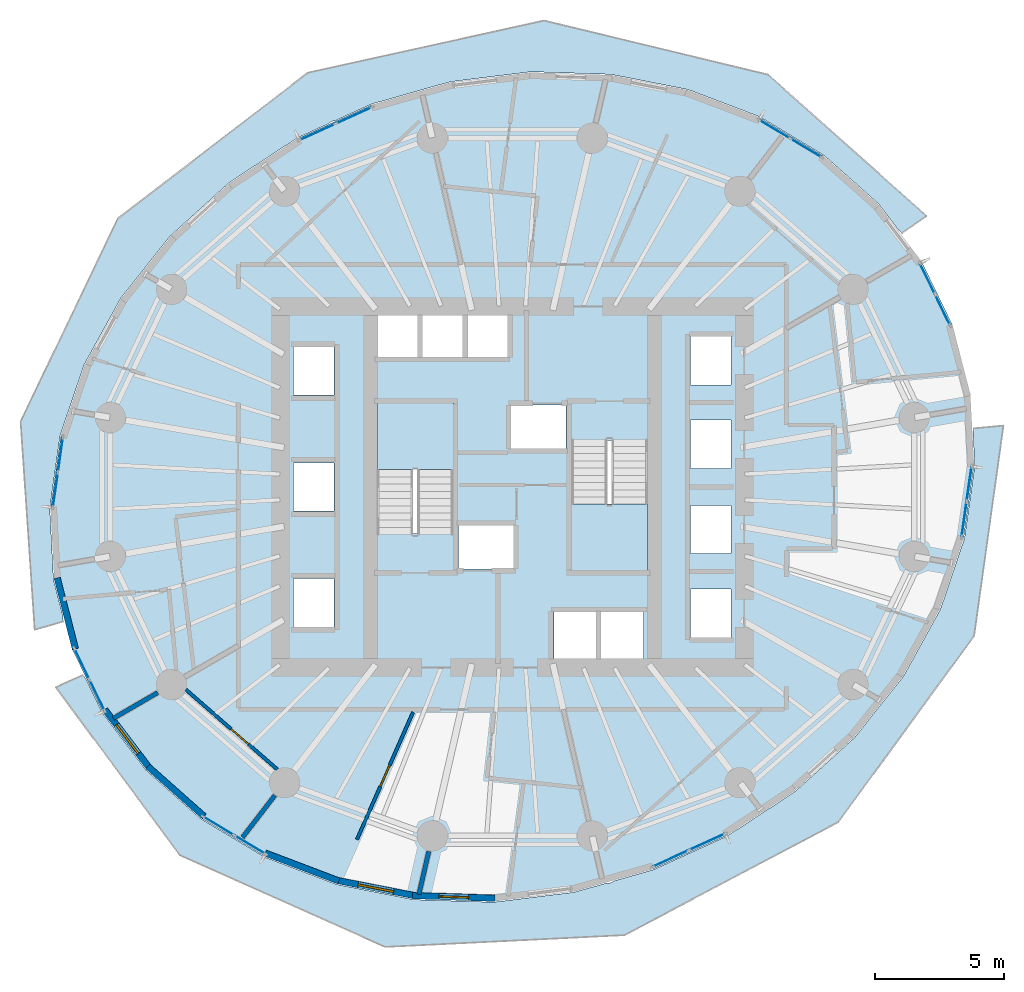
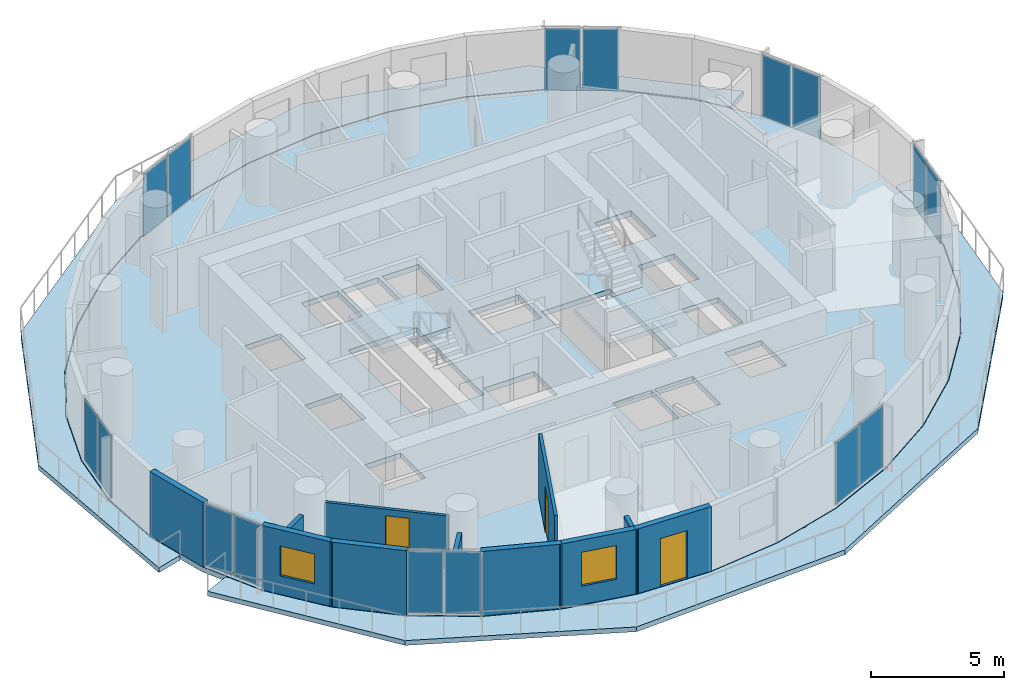
# One storey, part 6 of 14: 16 plates, 11 walls, 5 slabs, 3 doors, 2 windows, 5 openings, 10 elements without a shape of their own.
"""IFC4 building model written with IfcOpenShell, lengths in metres."""

from ifc_helpers import new_model, si_unit, direction, frame, frame_2d, origin, origin_2d, place, context, subcontext, project, spatial, polyline, rectangle, outline, extrude, material, layer, layer_set, type_object, element, fill, aggregate, save


model = new_model("IFC4")

# Units and contexts
model_context = context("Model", 3, precision=1e-05, world=origin(), true_north=direction((0.0, 1.0)))
body_context = subcontext(model_context, "Body", "Model", "MODEL_VIEW")
ifc_project = project(units=[si_unit("LENGTHUNIT", "METRE"), si_unit("AREAUNIT", "SQUARE_METRE"), si_unit("VOLUMEUNIT", "CUBIC_METRE"), si_unit("PLANEANGLEUNIT", "RADIAN"), si_unit("MASSUNIT", "GRAM", prefix="KILO")], contexts=[model_context])

# Site, building, storey
site_placement = place(None, origin())
site = spatial("IfcSite", under=ifc_project, at=site_placement, CompositionType="ELEMENT")
building_placement = place(site_placement, origin())
building = spatial("IfcBuilding", under=site, at=building_placement, Name="Veldorim Arch Residences", CompositionType="ELEMENT")
storey_placement = place(building_placement, frame((0.0, 0.0, 83.679931640625)))
storey = spatial("IfcBuildingStorey", under=building, at=storey_placement, Name="L24", CompositionType="ELEMENT", Elevation=83.679931640625)

# Slabs
ifc_material_1 = material(Name="Concrete C40/50", Category="concrete")
ifc_layer_1 = layer(ifc_material_1, 0.219970703125, Name="Planted Crescent Cantilever Balcony Slab 220")
ifc_layer_set_1 = layer_set([ifc_layer_1], Name="Concrete C40/50")
slab_type_1 = type_object("IfcSlabType", Name="Planted Crescent Cantilever Balcony Slab 220", PredefinedType="FLOOR", material=ifc_layer_set_1)
slab_1_placement = place(storey_placement, frame((0.0, 0.0, -0.219970703125)))
element("IfcSlab", 1, at=slab_1_placement, inside=storey, type_object=slab_type_1, Name="L24 planted crescent balcony slab A", PredefinedType="FLOOR", context=body_context, shape_type="SweptSolid", body=[
    extrude(outline(polyline([(46.990478515625, 33.961181640625), (46.210693359375, 34.984130859375), (44.088134765625, 36.868408203125), (41.5986328125, 38.361328125), (38.8173828125, 39.41796875), (35.82958984375, 40.006103515625), (32.725341796875, 40.10791015625), (29.59912109375, 39.720458984375), (26.5458984375, 38.85546875), (25.1455078125, 38.21728515625), (24.97314453125, 38.177001953125), (24.84033203125, 38.078125), (23.658447265625, 37.53955078125), (21.0244140625, 35.81201171875), (18.723388671875, 33.725830078125), (16.82568359375, 31.343994140625), (15.388916015625, 28.739013671875), (14.456787109375, 25.98974609375), (14.057861328125, 23.1796875), (14.2041015625, 20.39453125), (14.574462890625, 18.952880859375), (14.5751953125, 18.783203125), (13.470458984375, 18.463623046875), (12.923583984375, 26.53662109375), (16.694580078125, 34.413818359375), (24.0673828125, 40.071533203125), (33.231201171875, 42.094970703125), (41.920166015625, 39.998779296875), (48.068359375, 34.513916015625), (47.1259765625, 33.854736328125), (46.990478515625, 33.961181640625)])), origin(), (0.0, 0.0, 1.0), 0.219970703125),
])
slab_2_placement = place(storey_placement, frame((0.0, 0.0, -0.219970703125)))
element("IfcSlab", 2, at=slab_2_placement, inside=storey, type_object=slab_type_1, Name="L24 planted crescent balcony slab B", PredefinedType="FLOOR", context=body_context, shape_type="SweptSolid", body=[
    extrude(outline(polyline([(15.4482421875, 16.57275390625), (16.098876953125, 15.23388671875), (17.789306640625, 13.015869140625), (19.911865234375, 11.131591796875), (22.4013671875, 9.638671875), (25.1826171875, 8.58203125), (28.17041015625, 7.993896484375), (31.274658203125, 7.89208984375), (34.40087890625, 8.279541015625), (35.65087890625, 8.633544921875), (35.815673828125, 8.644287109375), (35.972900390625, 8.724853515625), (37.4541015625, 9.14453125), (40.341552734375, 10.46044921875), (42.9755859375, 12.18798828125), (45.276611328125, 14.274169921875), (47.17431640625, 16.656005859375), (48.611083984375, 19.260986328125), (49.543212890625, 22.01025390625), (49.942138671875, 24.8203125), (49.87451171875, 26.10498046875), (49.9091796875, 26.273681640625), (51.05419921875, 26.380859375), (49.91552734375, 18.220703125), (44.647216796875, 11.000244140625), (36.350830078125, 6.613525390625), (27.06884765625, 6.15673828125), (19.0966796875, 9.722412109375), (14.2900390625, 16.2314453125), (15.339111328125, 16.70263671875), (15.4482421875, 16.57275390625)])), origin(), (0.0, 0.0, 1.0), 0.219970703125),
])

# Stair, slab
ifc_material_2 = material(Name="Concrete C40/50", Category="concrete")
stair_type = type_object("IfcStairType", Name="Reinforced Concrete Dogleg Exit Staircase", PredefinedType="HALF_TURN_STAIR", material=ifc_material_2)
stair_1_placement = place(storey_placement, origin())
stair_1 = element("IfcStair", 3, at=stair_1_placement, inside=storey, type_object=stair_type, Name="L24 Exit Staircase ST-1", PredefinedType="HALF_TURN_STAIR")
ifc_material_3 = material(Name="Concrete C40/50", Category="concrete")
ifc_layer_2 = layer(ifc_material_3, 0.199951171875, Name="Reinforced Concrete Stair Landing 200")
ifc_layer_set_2 = layer_set([ifc_layer_2], Name="Concrete C40/50")
slab_type_2 = type_object("IfcSlabType", Name="Reinforced Concrete Stair Landing 200", PredefinedType="LANDING", material=ifc_layer_set_2)
slab_3_placement = place(storey_placement, frame((0.0, 0.0, 1.400146484375)))
slab_3 = element("IfcSlab", 4, at=slab_3_placement, type_object=slab_type_2, Name="ST-1 landing 1", PredefinedType="LANDING", context=body_context, shape_type="SweptSolid", body=[
    extrude(outline(polyline([(29.7099609375, 24.669921875), (29.7099609375, 27.25), (26.75, 27.25), (26.75, 24.669921875), (29.7099609375, 24.669921875)])), origin(), (0.0, 0.0, 1.0), 0.199951171875),
])
aggregate(stair_1, [slab_3])

stair_2_placement = place(storey_placement, origin())
stair_2 = element("IfcStair", 5, at=stair_2_placement, inside=storey, type_object=stair_type, Name="L24 Exit Staircase ST-2", PredefinedType="HALF_TURN_STAIR")
slab_4_placement = place(storey_placement, frame((0.0, 0.0, 1.400146484375)))
slab_4 = element("IfcSlab", 6, at=slab_4_placement, type_object=slab_type_2, Name="ST-2 landing 1", PredefinedType="LANDING", context=body_context, shape_type="SweptSolid", body=[
    extrude(outline(polyline([(34.2900390625, 23.330078125), (34.2900390625, 20.75), (37.25, 20.75), (37.25, 23.330078125), (34.2900390625, 23.330078125)])), origin(), (0.0, 0.0, 1.0), 0.199951171875),
])
aggregate(stair_2, [slab_4])

# Slab
ifc_material_4 = material(Name="Concrete C40/50", Category="concrete")
ifc_layer_3 = layer(ifc_material_4, 0.239990234375, Name="Typical Residential Floor Slab 240")
ifc_layer_set_3 = layer_set([ifc_layer_3], Name="Concrete C40/50")
slab_type_3 = type_object("IfcSlabType", Name="Typical Residential Floor Slab 240", PredefinedType="FLOOR", material=ifc_layer_set_3)
slab_5_placement = place(storey_placement, frame((0.0, 0.0, -0.239990234375)))
element("IfcSlab", 7, at=slab_5_placement, inside=storey, type_object=slab_type_3, Name="L24 tower structural floor slab", PredefinedType="FLOOR", context=body_context, shape_type="SweptSolid", body=[
    extrude(outline(polyline([(49.0849609375, 30.2724609375), (47.8798828125, 32.752685546875), (46.192138671875, 34.967041015625), (44.0732421875, 36.84814453125), (41.587646484375, 38.3388671875), (38.810546875, 39.393798828125), (35.82666015625, 39.981201171875), (32.726318359375, 40.082763671875), (29.60400390625, 39.69580078125), (26.5546875, 38.83203125), (23.670654296875, 37.517578125), (21.03955078125, 35.792236328125), (18.74169921875, 33.70849609375), (16.8466796875, 31.330078125), (15.412109375, 28.728759765625), (14.481201171875, 25.98388671875), (14.0830078125, 23.1787109375), (14.22900390625, 20.398193359375), (14.9150390625, 17.7275390625), (16.1201171875, 15.247314453125), (17.807861328125, 13.032958984375), (19.9267578125, 11.15185546875), (22.412353515625, 9.6611328125), (25.189453125, 8.606201171875), (28.17333984375, 8.018798828125), (31.273681640625, 7.917236328125), (34.39599609375, 8.30419921875), (37.4453125, 9.16796875), (40.329345703125, 10.482421875), (42.96044921875, 12.207763671875), (45.25830078125, 14.29150390625), (47.1533203125, 16.669921875), (48.587890625, 19.271240234375), (49.518798828125, 22.01611328125), (49.9169921875, 24.8212890625), (49.77099609375, 27.601806640625), (49.0849609375, 30.2724609375)]), holes=[polyline([(23.510009765625, 20.43994140625), (25.090087890625, 20.43994140625), (25.090087890625, 18.56005859375), (23.510009765625, 18.56005859375), (23.510009765625, 20.43994140625)]), polyline([(29.909912109375, 22.544921875), (32.090087890625, 22.544921875), (32.090087890625, 20.81494140625), (29.909912109375, 20.81494140625), (29.909912109375, 22.544921875)]), polyline([(23.510009765625, 24.93994140625), (25.090087890625, 24.93994140625), (25.090087890625, 23.06005859375), (23.510009765625, 23.06005859375), (23.510009765625, 24.93994140625)]), polyline([(26.75, 27.25), (29.7099609375, 27.25), (29.7099609375, 22.195068359375), (26.75, 22.195068359375), (26.75, 27.25)]), polyline([(23.510009765625, 29.43994140625), (25.090087890625, 29.43994140625), (25.090087890625, 27.56005859375), (23.510009765625, 27.56005859375), (23.510009765625, 29.43994140625)]), polyline([(26.760009765625, 30.7900390625), (28.340087890625, 30.7900390625), (28.340087890625, 28.909912109375), (26.760009765625, 28.909912109375), (26.760009765625, 30.7900390625)]), polyline([(28.510009765625, 30.7900390625), (30.090087890625, 30.7900390625), (30.090087890625, 28.909912109375), (28.510009765625, 28.909912109375), (28.510009765625, 30.7900390625)]), polyline([(30.260009765625, 30.7900390625), (31.840087890625, 30.7900390625), (31.840087890625, 28.909912109375), (30.260009765625, 28.909912109375), (30.260009765625, 30.7900390625)]), polyline([(33.610107421875, 19.2900390625), (35.2900390625, 19.2900390625), (35.2900390625, 17.2099609375), (33.610107421875, 17.2099609375), (33.610107421875, 19.2900390625)]), polyline([(35.409912109375, 19.2900390625), (37.090087890625, 19.2900390625), (37.090087890625, 17.2099609375), (35.409912109375, 17.2099609375), (35.409912109375, 19.2900390625)]), polyline([(38.909912109375, 20.0400390625), (40.489990234375, 20.0400390625), (40.489990234375, 18.159912109375), (38.909912109375, 18.159912109375), (38.909912109375, 20.0400390625)]), polyline([(38.909912109375, 23.2900390625), (40.489990234375, 23.2900390625), (40.489990234375, 21.409912109375), (38.909912109375, 21.409912109375), (38.909912109375, 23.2900390625)]), polyline([(34.2900390625, 25.804931640625), (37.25, 25.804931640625), (37.25, 20.75), (34.2900390625, 20.75), (34.2900390625, 25.804931640625)]), polyline([(38.909912109375, 26.590087890625), (40.489990234375, 26.590087890625), (40.489990234375, 24.7099609375), (38.909912109375, 24.7099609375), (38.909912109375, 26.590087890625)]), polyline([(31.909912109375, 27.18505859375), (34.090087890625, 27.18505859375), (34.090087890625, 25.455078125), (31.909912109375, 25.455078125), (31.909912109375, 27.18505859375)]), polyline([(38.909912109375, 29.840087890625), (40.489990234375, 29.840087890625), (40.489990234375, 27.9599609375), (38.909912109375, 27.9599609375), (38.909912109375, 29.840087890625)])]), origin(), (0.0, 0.0, 1.0), 0.239990234375),
])

# Curtain wall, plates
ifc_material_5 = material(Name="Aluminium", Category="aluminium")
curtain_wall_type = type_object("IfcCurtainWallType", Name="Zone 2 Solar-Control Unitised Curtain Wall", PredefinedType="NOTDEFINED", material=ifc_material_5)
curtain_wall_1_placement = place(storey_placement, origin())
curtain_wall_1 = element("IfcCurtainWall", 8, at=curtain_wall_1_placement, inside=storey, type_object=curtain_wall_type, Name="L24 unitised curtain wall bay 01", PredefinedType="NOTDEFINED")
ifc_material_6 = material(Name="Laminated Low-E Glass", Category="glass")
ifc_layer_4 = layer(ifc_material_6, 0.02587890625, Name="Zone 2 Solar-Control Unitised Curtain Wall Glazing Panel 26")
ifc_layer_set_4 = layer_set([ifc_layer_4], Name="Laminated Low-E Glass")
plate_type = type_object("IfcPlateType", Name="Zone 2 Solar-Control Unitised Curtain Wall Glazing Panel 26", PredefinedType="CURTAIN_PANEL", material=ifc_layer_set_4)
plate_1_placement = place(storey_placement, frame((48.107421875, 32.078857421875, 0.06494140625), z_axis=(0.0, 0.0, 1.0), x_axis=(0.437045633403, -0.89943933332, 0.0)))
plate_1 = element("IfcPlate", 9, at=plate_1_placement, type_object=plate_type, Name="CW-Z2 panel 1.1", PredefinedType="CURTAIN_PANEL", context=body_context, shape_type="SweptSolid", body=[
    extrude(rectangle(XDim=1.28125, YDim=0.02587890625, at=origin_2d()), origin(), (0.0, 0.0, 1.0), 2.830078125),
])
plate_2_placement = place(storey_placement, frame((48.69580078125, 30.867919921875, 0.06494140625), z_axis=(0.0, 0.0, 1.0), x_axis=(0.437045633403, -0.89943933332, 0.0)))
plate_2 = element("IfcPlate", 10, at=plate_2_placement, type_object=plate_type, Name="CW-Z2 panel 2.1", PredefinedType="CURTAIN_PANEL", context=body_context, shape_type="SweptSolid", body=[
    extrude(rectangle(XDim=1.28125, YDim=0.02587890625, at=origin_2d()), origin(), (0.0, 0.0, 1.0), 2.830078125),
])
aggregate(curtain_wall_1, [plate_1, plate_2])

curtain_wall_2_placement = place(storey_placement, origin())
curtain_wall_2 = element("IfcCurtainWall", 11, at=curtain_wall_2_placement, inside=storey, type_object=curtain_wall_type, Name="L24 unitised curtain wall bay 04", PredefinedType="NOTDEFINED")
plate_3_placement = place(storey_placement, frame((42.1767578125, 37.880615234375, 0.06494140625), z_axis=(0.0, 0.0, 1.0), x_axis=(0.857602499098, -0.514313089023, 0.0)))
plate_3 = element("IfcPlate", 12, at=plate_3_placement, type_object=plate_type, Name="CW-Z2 panel 1.1", PredefinedType="CURTAIN_PANEL", context=body_context, shape_type="SweptSolid", body=[
    extrude(rectangle(XDim=1.351806640625, YDim=0.02587890625, at=origin_2d()), origin(), (0.0, 0.0, 1.0), 2.830078125),
])
plate_4_placement = place(storey_placement, frame((43.3916015625, 37.15185546875, 0.06494140625), z_axis=(0.0, 0.0, 1.0), x_axis=(0.857602499098, -0.514313089023, 0.0)))
plate_4 = element("IfcPlate", 13, at=plate_4_placement, type_object=plate_type, Name="CW-Z2 panel 2.1", PredefinedType="CURTAIN_PANEL", context=body_context, shape_type="SweptSolid", body=[
    extrude(rectangle(XDim=1.351806640625, YDim=0.02587890625, at=origin_2d()), origin(), (0.0, 0.0, 1.0), 2.830078125),
])
aggregate(curtain_wall_2, [plate_3, plate_4])

curtain_wall_3_placement = place(storey_placement, origin())
curtain_wall_3 = element("IfcCurtainWall", 14, at=curtain_wall_3_placement, inside=storey, type_object=curtain_wall_type, Name="L24 unitised curtain wall bay 10", PredefinedType="NOTDEFINED")
plate_5_placement = place(storey_placement, frame((24.443603515625, 37.77099609375, 0.06494140625), z_axis=(0.0, 0.0, 1.0), x_axis=(0.909939186399, 0.414741699201, 0.0)))
plate_5 = element("IfcPlate", 15, at=plate_5_placement, type_object=plate_type, Name="CW-Z2 panel 1.1", PredefinedType="CURTAIN_PANEL", context=body_context, shape_type="SweptSolid", body=[
    extrude(rectangle(XDim=1.4873046875, YDim=0.02587890625, at=origin_2d()), origin(), (0.0, 0.0, 1.0), 2.830078125),
])
plate_6_placement = place(storey_placement, frame((25.856201171875, 38.414794921875, 0.06494140625), z_axis=(0.0, 0.0, 1.0), x_axis=(0.909939186399, 0.414741699201, 0.0)))
plate_6 = element("IfcPlate", 16, at=plate_6_placement, type_object=plate_type, Name="CW-Z2 panel 2.1", PredefinedType="CURTAIN_PANEL", context=body_context, shape_type="SweptSolid", body=[
    extrude(rectangle(XDim=1.4873046875, YDim=0.02587890625, at=origin_2d()), origin(), (0.0, 0.0, 1.0), 2.830078125),
])
aggregate(curtain_wall_3, [plate_5, plate_6])

curtain_wall_4_placement = place(storey_placement, origin())
curtain_wall_4 = element("IfcCurtainWall", 17, at=curtain_wall_4_placement, inside=storey, type_object=curtain_wall_type, Name="L24 unitised curtain wall bay 16", PredefinedType="NOTDEFINED")
plate_7_placement = place(storey_placement, frame((14.27392578125, 23.88330078125, 0.06494140625), z_axis=(0.0, 0.0, 1.0), x_axis=(0.140571452105, 0.990070536302, 0.0)))
plate_7 = element("IfcPlate", 18, at=plate_7_placement, type_object=plate_type, Name="CW-Z2 panel 1.1", PredefinedType="CURTAIN_PANEL", context=body_context, shape_type="SweptSolid", body=[
    extrude(rectangle(XDim=1.3193359375, YDim=0.02587890625, at=origin_2d()), origin(), (0.0, 0.0, 1.0), 2.830078125),
])
plate_8_placement = place(storey_placement, frame((14.468505859375, 25.25390625, 0.06494140625), z_axis=(0.0, 0.0, 1.0), x_axis=(0.140571452105, 0.990070536302, 0.0)))
plate_8 = element("IfcPlate", 19, at=plate_8_placement, type_object=plate_type, Name="CW-Z2 panel 2.1", PredefinedType="CURTAIN_PANEL", context=body_context, shape_type="SweptSolid", body=[
    extrude(rectangle(XDim=1.3193359375, YDim=0.02587890625, at=origin_2d()), origin(), (0.0, 0.0, 1.0), 2.830078125),
])
aggregate(curtain_wall_4, [plate_7, plate_8])

curtain_wall_5_placement = place(storey_placement, origin())
curtain_wall_5 = element("IfcCurtainWall", 20, at=curtain_wall_5_placement, inside=storey, type_object=curtain_wall_type, Name="L24 unitised curtain wall bay 19", PredefinedType="NOTDEFINED")
plate_9_placement = place(storey_placement, frame((15.892578125, 15.921142578125, 0.06494140625), z_axis=(0.0, 0.0, 1.0), x_axis=(-0.437045633403, 0.89943933332, 0.0)))
plate_9 = element("IfcPlate", 21, at=plate_9_placement, type_object=plate_type, Name="CW-Z2 panel 1.1", PredefinedType="CURTAIN_PANEL", context=body_context, shape_type="SweptSolid", body=[
    extrude(rectangle(XDim=1.28125, YDim=0.02587890625, at=origin_2d()), origin(), (0.0, 0.0, 1.0), 2.830078125),
])
plate_10_placement = place(storey_placement, frame((15.30419921875, 17.132080078125, 0.06494140625), z_axis=(0.0, 0.0, 1.0), x_axis=(-0.437045633403, 0.89943933332, 0.0)))
plate_10 = element("IfcPlate", 22, at=plate_10_placement, type_object=plate_type, Name="CW-Z2 panel 2.1", PredefinedType="CURTAIN_PANEL", context=body_context, shape_type="SweptSolid", body=[
    extrude(rectangle(XDim=1.28125, YDim=0.02587890625, at=origin_2d()), origin(), (0.0, 0.0, 1.0), 2.830078125),
])
aggregate(curtain_wall_5, [plate_9, plate_10])

curtain_wall_6_placement = place(storey_placement, origin())
curtain_wall_6 = element("IfcCurtainWall", 23, at=curtain_wall_6_placement, inside=storey, type_object=curtain_wall_type, Name="L24 unitised curtain wall bay 22", PredefinedType="NOTDEFINED")
plate_11_placement = place(storey_placement, frame((21.8232421875, 10.119384765625, 0.06494140625), z_axis=(0.0, 0.0, 1.0), x_axis=(-0.857602499098, 0.514313089023, 0.0)))
plate_11 = element("IfcPlate", 24, at=plate_11_placement, type_object=plate_type, Name="CW-Z2 panel 1.1", PredefinedType="CURTAIN_PANEL", context=body_context, shape_type="SweptSolid", body=[
    extrude(rectangle(XDim=1.351806640625, YDim=0.02587890625, at=origin_2d()), origin(), (0.0, 0.0, 1.0), 2.830078125),
])
plate_12_placement = place(storey_placement, frame((20.6083984375, 10.84814453125, 0.06494140625), z_axis=(0.0, 0.0, 1.0), x_axis=(-0.857602499098, 0.514313089023, 0.0)))
plate_12 = element("IfcPlate", 25, at=plate_12_placement, type_object=plate_type, Name="CW-Z2 panel 2.1", PredefinedType="CURTAIN_PANEL", context=body_context, shape_type="SweptSolid", body=[
    extrude(rectangle(XDim=1.351806640625, YDim=0.02587890625, at=origin_2d()), origin(), (0.0, 0.0, 1.0), 2.830078125),
])
aggregate(curtain_wall_6, [plate_11, plate_12])

curtain_wall_7_placement = place(storey_placement, origin())
curtain_wall_7 = element("IfcCurtainWall", 26, at=curtain_wall_7_placement, inside=storey, type_object=curtain_wall_type, Name="L24 unitised curtain wall bay 28", PredefinedType="NOTDEFINED")
plate_13_placement = place(storey_placement, frame((39.556396484375, 10.22900390625, 0.06494140625), z_axis=(0.0, 0.0, 1.0), x_axis=(-0.909939186399, -0.414741699201, 0.0)))
plate_13 = element("IfcPlate", 27, at=plate_13_placement, type_object=plate_type, Name="CW-Z2 panel 1.1", PredefinedType="CURTAIN_PANEL", context=body_context, shape_type="SweptSolid", body=[
    extrude(rectangle(XDim=1.4873046875, YDim=0.02587890625, at=origin_2d()), origin(), (0.0, 0.0, 1.0), 2.830078125),
])
plate_14_placement = place(storey_placement, frame((38.143798828125, 9.585205078125, 0.06494140625), z_axis=(0.0, 0.0, 1.0), x_axis=(-0.909939186399, -0.414741699201, 0.0)))
plate_14 = element("IfcPlate", 28, at=plate_14_placement, type_object=plate_type, Name="CW-Z2 panel 2.1", PredefinedType="CURTAIN_PANEL", context=body_context, shape_type="SweptSolid", body=[
    extrude(rectangle(XDim=1.4873046875, YDim=0.02587890625, at=origin_2d()), origin(), (0.0, 0.0, 1.0), 2.830078125),
])
aggregate(curtain_wall_7, [plate_13, plate_14])

curtain_wall_8_placement = place(storey_placement, origin())
curtain_wall_8 = element("IfcCurtainWall", 29, at=curtain_wall_8_placement, inside=storey, type_object=curtain_wall_type, Name="L24 unitised curtain wall bay 34", PredefinedType="NOTDEFINED")
plate_15_placement = place(storey_placement, frame((49.72607421875, 24.11669921875, 0.06494140625), z_axis=(0.0, 0.0, 1.0), x_axis=(-0.140571452105, -0.990070536302, 0.0)))
plate_15 = element("IfcPlate", 30, at=plate_15_placement, type_object=plate_type, Name="CW-Z2 panel 1.1", PredefinedType="CURTAIN_PANEL", context=body_context, shape_type="SweptSolid", body=[
    extrude(rectangle(XDim=1.3193359375, YDim=0.02587890625, at=origin_2d()), origin(), (0.0, 0.0, 1.0), 2.830078125),
])
plate_16_placement = place(storey_placement, frame((49.531494140625, 22.74609375, 0.06494140625), z_axis=(0.0, 0.0, 1.0), x_axis=(-0.140571452105, -0.990070536302, 0.0)))
plate_16 = element("IfcPlate", 31, at=plate_16_placement, type_object=plate_type, Name="CW-Z2 panel 2.1", PredefinedType="CURTAIN_PANEL", context=body_context, shape_type="SweptSolid", body=[
    extrude(rectangle(XDim=1.3193359375, YDim=0.02587890625, at=origin_2d()), origin(), (0.0, 0.0, 1.0), 2.830078125),
])
aggregate(curtain_wall_8, [plate_15, plate_16])

# Wall, opening, door
ifc_material_7 = material(Name="Acoustic Gypsum Board", Category="gypsum")
ifc_layer_5 = layer(ifc_material_7, 0.125, Name="Acoustic Stud Room Partition Wall 125")
ifc_layer_set_5 = layer_set([ifc_layer_5], Name="Acoustic Gypsum Board")
wall_type_1 = type_object("IfcWallType", Name="Acoustic Stud Room Partition Wall 125", PredefinedType="PARTITIONING", material=ifc_layer_set_5)
wall_1_placement = place(storey_placement, frame((25.972900390625, 10.322021484375, 0.0), z_axis=(0.0, 0.0, 1.0), x_axis=(0.403235845427, 0.91509608947, 0.0)))
wall_1 = element("IfcWall", 32, at=wall_1_placement, inside=storey, type_object=wall_type_1, Name="L24 interior wall WL-RES-L24-015", PredefinedType="PARTITIONING", context=body_context, shape_type="SweptSolid", body=[
    extrude(rectangle(XDim=5.396484375, YDim=0.125, at=frame_2d((2.6982421875, 0.0))), origin(), (0.0, 0.0, 1.0), 2.955078125),
])
opening_1_placement = place(wall_1_placement, frame((2.248046875, 0.0, 0.0)))
opening_1 = element("IfcOpeningElement", 33, at=opening_1_placement, cuts=wall_1, Name="Opening DR-INT", PredefinedType="OPENING", context=body_context, shape_type="SweptSolid", body=[
    extrude(rectangle(XDim=0.89990234375, YDim=2.10009765625, at=frame_2d((0.449951171875, 1.050048828125))), frame((0.0, 0.072509765625, 0.0), z_axis=(0.0, -1.0, 0.0), x_axis=(1.0, 0.0, 0.0)), (0.0, 0.0, 1.0), 0.14501953125),
])
ifc_material_8 = material(Name="Engineered Timber", Category="wood")
door_type_1 = type_object("IfcDoorType", Name="Apartment Internal Room Timber Door 900x2100", OperationType="SINGLE_SWING_LEFT", PredefinedType="DOOR", material=ifc_material_8)
door_1_placement = place(opening_1_placement, origin())
door_1 = element("IfcDoor", 34, at=door_1_placement, inside=storey, type_object=door_type_1, Name="L24 interior door DR-RES-L24-003", OperationType="SINGLE_SWING_LEFT", OverallHeight=2.10009765625, OverallWidth=0.89990234375, PredefinedType="DOOR", context=body_context, shape_type="SweptSolid", body=[
    extrude(rectangle(XDim=0.89990234375, YDim=2.10009765625, at=frame_2d((0.449951171875, 1.050048828125))), frame((0.0, 0.02490234375, 0.0), z_axis=(0.0, -1.0, 0.0), x_axis=(1.0, 0.0, 0.0)), (0.0, 0.0, 1.0), 0.050048828125),
])
fill(opening_1, door_1)

wall_2_placement = place(storey_placement, frame((22.8876953125, 13.040283203125, 0.0), z_axis=(0.0, 0.0, 1.0), x_axis=(-0.753425123405, 0.657533712765, 0.0)))
wall_2 = element("IfcWall", 35, at=wall_2_placement, inside=storey, type_object=wall_type_1, Name="L24 interior wall WL-RES-L24-019", PredefinedType="PARTITIONING", context=body_context, shape_type="SweptSolid", body=[
    extrude(rectangle(XDim=4.72021484375, YDim=0.125, at=frame_2d((2.360107421875, 0.0))), origin(), (0.0, 0.0, 1.0), 2.403564453125),
])
opening_2_placement = place(wall_2_placement, frame((1.489990234375, 0.0, 0.0)))
opening_2 = element("IfcOpeningElement", 36, at=opening_2_placement, cuts=wall_2, Name="Opening DR-INT", PredefinedType="OPENING", context=body_context, shape_type="SweptSolid", body=[
    extrude(rectangle(XDim=0.89990234375, YDim=2.10009765625, at=frame_2d((0.449951171875, 1.050048828125))), frame((0.0, 0.072509765625, 0.0), z_axis=(0.0, -1.0, 0.0), x_axis=(1.0, 0.0, 0.0)), (0.0, 0.0, 1.0), 0.14501953125),
])
door_2_placement = place(opening_2_placement, origin())
door_2 = element("IfcDoor", 37, at=door_2_placement, inside=storey, type_object=door_type_1, Name="L24 interior door DR-RES-L24-004", OperationType="SINGLE_SWING_RIGHT", OverallHeight=2.10009765625, OverallWidth=0.89990234375, PredefinedType="DOOR", context=body_context, shape_type="SweptSolid", body=[
    extrude(rectangle(XDim=0.89990234375, YDim=2.10009765625, at=frame_2d((0.449951171875, 1.050048828125))), frame((0.0, 0.02490234375, 0.0), z_axis=(0.0, -1.0, 0.0), x_axis=(1.0, 0.0, 0.0)), (0.0, 0.0, 1.0), 0.050048828125),
])
fill(opening_2, door_2)

# Walls
ifc_material_9 = material(Name="Lightweight Masonry Block & Gypsum", Category="masonry")
ifc_layer_6 = layer(ifc_material_9, 0.179931640625, Name="Compartment & Corridor Fire-Rated Party Wall 180")
ifc_layer_set_6 = layer_set([ifc_layer_6], Name="Lightweight Masonry Block & Gypsum")
wall_type_2 = type_object("IfcWallType", Name="Compartment & Corridor Fire-Rated Party Wall 180", PredefinedType="PARTITIONING", material=ifc_layer_set_6)
wall_3_placement = place(storey_placement, frame((18.243408203125, 16.022216796875, 0.0), z_axis=(0.0, 0.0, 1.0), x_axis=(-0.865046065875, -0.501692439563, 0.0)))
element("IfcWall", 38, at=wall_3_placement, inside=storey, type_object=wall_type_2, Name="L24 interior wall WL-PIER-L24-10", PredefinedType="PARTITIONING", context=body_context, shape_type="SweptSolid", body=[
    extrude(rectangle(XDim=1.994140625, YDim=0.179931640625, at=frame_2d((0.9970703125, 0.0))), origin(), (0.0, 0.0, 1.0), 2.2607421875),
])
wall_4_placement = place(storey_placement, frame((22.7880859375, 12.034423828125, 0.0), z_axis=(0.0, 0.0, 1.0), x_axis=(-0.609991040385, -0.792408310564, 0.0)))
element("IfcWall", 39, at=wall_4_placement, inside=storey, type_object=wall_type_2, Name="L24 interior wall WL-PIER-L24-11", PredefinedType="PARTITIONING", context=body_context, shape_type="SweptSolid", body=[
    extrude(rectangle(XDim=2.0625, YDim=0.179931640625, at=frame_2d((1.03125, 0.0))), origin(), (0.0, 0.0, 1.0), 2.2607421875),
])
wall_5_placement = place(storey_placement, frame((28.759521484375, 9.86083984375, 0.0), z_axis=(0.0, 0.0, 1.0), x_axis=(-0.223359217097, -0.974736200281, 0.0)))
element("IfcWall", 40, at=wall_5_placement, inside=storey, type_object=wall_type_2, Name="L24 interior wall WL-PIER-L24-12", PredefinedType="PARTITIONING", context=body_context, shape_type="SweptSolid", body=[
    extrude(rectangle(XDim=1.711669921875, YDim=0.179931640625, at=frame_2d((0.85595703125, 0.0))), origin(), (0.0, 0.0, 1.0), 2.2607421875),
])
ifc_material_10 = material(Name="Precast concrete C40/50", Category="concrete")
ifc_layer_7 = layer(ifc_material_10, 0.25, Name="Tower Terracotta Spandrel & Pier Wall 250")
ifc_layer_set_7 = layer_set([ifc_layer_7], Name="Precast concrete C40/50")
wall_type_3 = type_object("IfcWallType", Name="Tower Terracotta Spandrel & Pier Wall 250", PredefinedType="SOLIDWALL", material=ifc_layer_set_7)
wall_6_placement = place(storey_placement, frame((15.04736328125, 17.715087890625, 0.0), z_axis=(0.0, 0.0, 1.0), x_axis=(-0.248825035787, 0.96854845081, 0.0)))
element("IfcWall", 41, at=wall_6_placement, inside=storey, type_object=wall_type_3, Name="L24 terracotta facade wall 18", PredefinedType="SOLIDWALL", context=body_context, shape_type="SweptSolid", body=[
    extrude(rectangle(XDim=2.847412109375, YDim=0.25, at=frame_2d((1.423828125, 0.0))), origin(), (0.0, 0.0, 1.0), 2.9599609375),
])

# Wall, opening, window
wall_7_placement = place(storey_placement, frame((17.9345703125, 13.072998046875, 0.0), z_axis=(0.0, 0.0, 1.0), x_axis=(-0.606166055027, 0.795338112838, 0.0)))
wall_7 = element("IfcWall", 42, at=wall_7_placement, inside=storey, type_object=wall_type_3, Name="L24 terracotta facade wall 20", PredefinedType="SOLIDWALL", context=body_context, shape_type="SweptSolid", body=[
    extrude(rectangle(XDim=2.8740234375, YDim=0.25, at=frame_2d((1.43701171875, 0.0))), origin(), (0.0, 0.0, 1.0), 2.9599609375),
])
opening_3_placement = place(wall_7_placement, frame((0.737060546875, 0.0, 0.85009765625)))
opening_3 = element("IfcOpeningElement", 43, at=opening_3_placement, cuts=wall_7, Name="Opening WN-02", PredefinedType="OPENING", context=body_context, shape_type="SweptSolid", body=[
    extrude(rectangle(XDim=1.39990234375, YDim=1.3701171875, at=frame_2d((0.699951171875, 0.68505859375))), frame((0.0, 0.135009765625, 0.0), z_axis=(0.0, -1.0, 0.0), x_axis=(1.0, 0.0, 0.0)), (0.0, 0.0, 1.0), 0.27001953125),
])
ifc_material_11 = material(Name="Laminated Low-E Glass", Category="glass")
window_type = type_object("IfcWindowType", Name="Residential Casement Window 1400x1550", PartitioningType="SINGLE_PANEL", PredefinedType="WINDOW", material=ifc_material_11)
window_1_placement = place(opening_3_placement, origin())
window_1 = element("IfcWindow", 44, at=window_1_placement, inside=storey, type_object=window_type, Name="L24 solar-control facade window 20", OverallHeight=1.3701171875, OverallWidth=1.39990234375, PartitioningType="SINGLE_PANEL", PredefinedType="WINDOW", context=body_context, shape_type="SweptSolid", body=[
    extrude(rectangle(XDim=1.39990234375, YDim=1.3701171875, at=frame_2d((0.699951171875, 0.68505859375))), frame((0.0, 0.030029296875, 0.0), z_axis=(0.0, -1.0, 0.0), x_axis=(1.0, 0.0, 0.0)), (0.0, 0.0, 1.0), 0.06005859375),
])
fill(opening_3, window_1)

# Walls
wall_8_placement = place(storey_placement, frame((20.043212890625, 11.215576171875, 0.0), z_axis=(0.0, 0.0, 1.0), x_axis=(-0.747828492436, 0.663891968547, 0.0)))
element("IfcWall", 45, at=wall_8_placement, inside=storey, type_object=wall_type_3, Name="L24 terracotta facade wall 21", PredefinedType="SOLIDWALL", context=body_context, shape_type="SweptSolid", body=[
    extrude(rectangle(XDim=2.923095703125, YDim=0.25, at=frame_2d((1.46142578125, 0.0))), origin(), (0.0, 0.0, 1.0), 2.9599609375),
])
wall_9_placement = place(storey_placement, frame((25.27587890625, 8.70703125, 0.0), z_axis=(0.0, 0.0, 1.0), x_axis=(-0.934815891493, 0.355132720277, 0.0)))
element("IfcWall", 46, at=wall_9_placement, inside=storey, type_object=wall_type_3, Name="L24 terracotta facade wall 23", PredefinedType="SOLIDWALL", context=body_context, shape_type="SweptSolid", body=[
    extrude(rectangle(XDim=3.060546875, YDim=0.25, at=frame_2d((1.5302734375, 0.0))), origin(), (0.0, 0.0, 1.0), 2.9599609375),
])

# Wall, opening, window
wall_10_placement = place(storey_placement, frame((28.24169921875, 8.1328125, 0.0), z_axis=(0.0, 0.0, 1.0), x_axis=(-0.981187677549, 0.193056316721, 0.0)))
wall_10 = element("IfcWall", 47, at=wall_10_placement, inside=storey, type_object=wall_type_3, Name="L24 terracotta facade wall 24", PredefinedType="SOLIDWALL", context=body_context, shape_type="SweptSolid", body=[
    extrude(rectangle(XDim=3.131103515625, YDim=0.25, at=frame_2d((1.5654296875, 0.0))), origin(), (0.0, 0.0, 1.0), 2.9599609375),
])
opening_4_placement = place(wall_10_placement, frame((0.865966796875, 0.0, 0.85009765625)))
opening_4 = element("IfcOpeningElement", 48, at=opening_4_placement, cuts=wall_10, Name="Opening WN-02", PredefinedType="OPENING", context=body_context, shape_type="SweptSolid", body=[
    extrude(rectangle(XDim=1.39990234375, YDim=1.550048828125, at=frame_2d((0.699951171875, 0.77490234375))), frame((0.0, 0.135009765625, 0.0), z_axis=(0.0, -1.0, 0.0), x_axis=(1.0, 0.0, 0.0)), (0.0, 0.0, 1.0), 0.27001953125),
])
window_2_placement = place(opening_4_placement, origin())
window_2 = element("IfcWindow", 49, at=window_2_placement, inside=storey, type_object=window_type, Name="L24 solar-control facade window 24", OverallHeight=1.550048828125, OverallWidth=1.39990234375, PartitioningType="SINGLE_PANEL", PredefinedType="WINDOW", context=body_context, shape_type="SweptSolid", body=[
    extrude(rectangle(XDim=1.39990234375, YDim=1.550048828125, at=frame_2d((0.699951171875, 0.77490234375))), frame((0.0, 0.030029296875, 0.0), z_axis=(0.0, -1.0, 0.0), x_axis=(1.0, 0.0, 0.0)), (0.0, 0.0, 1.0), 0.06005859375),
])
fill(opening_4, window_2)

# Wall, opening, door
wall_11_placement = place(storey_placement, frame((31.32275390625, 8.040771484375, 0.0), z_axis=(0.0, 0.0, 1.0), x_axis=(-0.999464092211, 0.032734208101, 0.0)))
wall_11 = element("IfcWall", 50, at=wall_11_placement, inside=storey, type_object=wall_type_3, Name="L24 terracotta facade wall 25", PredefinedType="SOLIDWALL", context=body_context, shape_type="SweptSolid", body=[
    extrude(rectangle(XDim=3.192138671875, YDim=0.25, at=frame_2d((1.59619140625, 0.0))), origin(), (0.0, 0.0, 1.0), 2.9599609375),
])
opening_5_placement = place(wall_11_placement, frame((1.02099609375, 0.0, 0.0)))
opening_5 = element("IfcOpeningElement", 51, at=opening_5_placement, cuts=wall_11, Name="Opening BL-DR", PredefinedType="OPENING", context=body_context, shape_type="SweptSolid", body=[
    extrude(rectangle(XDim=1.14990234375, YDim=2.199951171875, at=frame_2d((0.574951171875, 1.10009765625))), frame((0.0, 0.135009765625, 0.0), z_axis=(0.0, -1.0, 0.0), x_axis=(1.0, 0.0, 0.0)), (0.0, 0.0, 1.0), 0.27001953125),
])
ifc_material_12 = material(Name="Aluminium & Low-E Glass", Category="aluminium")
door_type_2 = type_object("IfcDoorType", Name="Glazed Planted Balcony Door 1150x2200", OperationType="SINGLE_SWING_LEFT", PredefinedType="DOOR", material=ifc_material_12)
door_3_placement = place(opening_5_placement, origin())
door_3 = element("IfcDoor", 52, at=door_3_placement, inside=storey, type_object=door_type_2, Name="L24 glazed outdoor terrace door BALC-2", OperationType="SINGLE_SWING_LEFT", OverallHeight=2.199951171875, OverallWidth=1.14990234375, PredefinedType="DOOR", context=body_context, shape_type="SweptSolid", body=[
    extrude(rectangle(XDim=1.14990234375, YDim=2.199951171875, at=frame_2d((0.574951171875, 1.10009765625))), frame((0.0, 0.02490234375, 0.0), z_axis=(0.0, -1.0, 0.0), x_axis=(1.0, 0.0, 0.0)), (0.0, 0.0, 1.0), 0.050048828125),
])
fill(opening_5, door_3)

save(model, "model.ifc")
